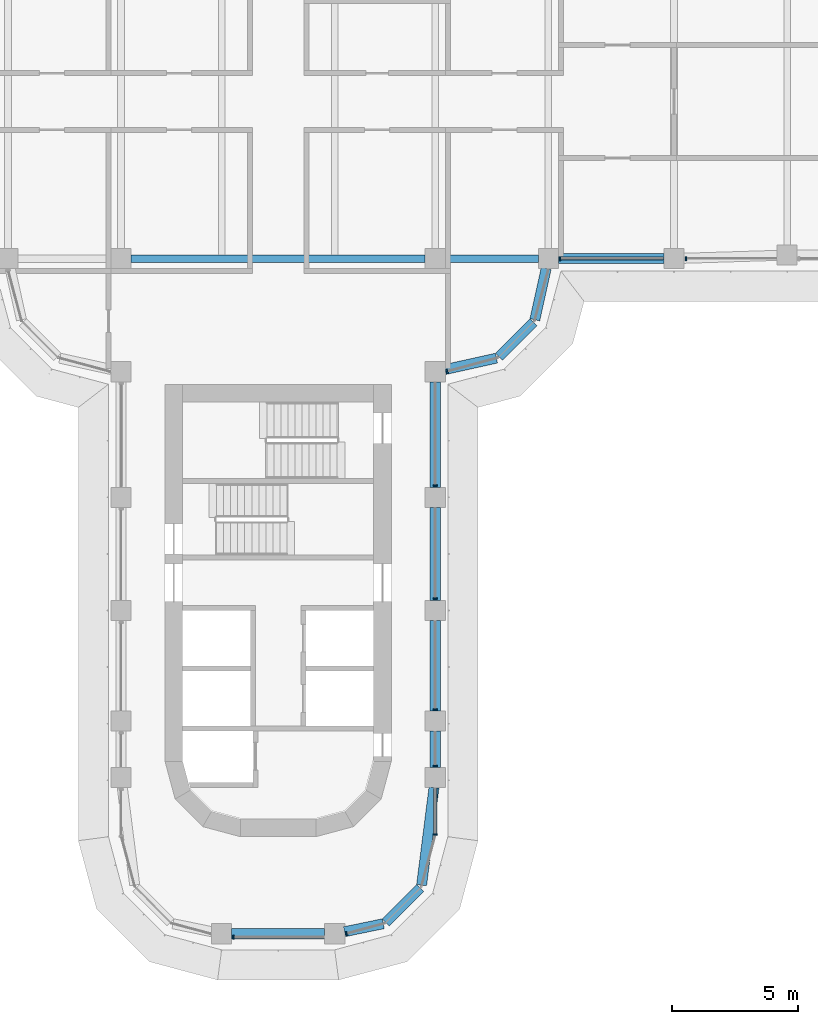
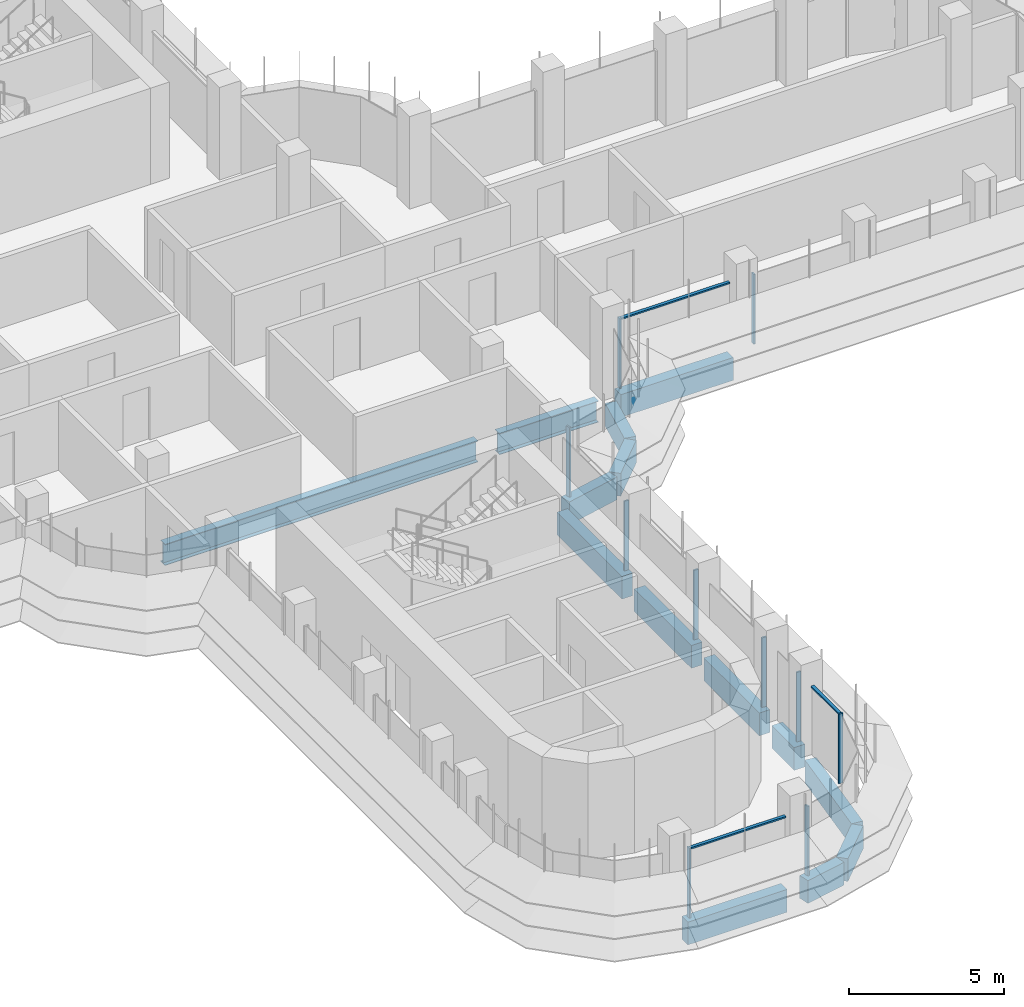
# One storey, part 4 of 20: 14 beams, 13 members, 5 elements without a shape of their own.
"""IFC4 building model written with IfcOpenShell, lengths in metres."""

from ifc_helpers import new_model, si_unit, direction, frame, origin, origin_2d, place, context, subcontext, project, spatial, polyline, rectangle, i_section, outline, extrude, source, transform, mapped, material, material_profile, profile_set, type_object, element, aggregate, save


model = new_model("IFC4")

# Units and contexts
model_context = context("Model", 3, precision=1e-05, world=origin(), true_north=direction((0.0, 1.0)))
body_context = subcontext(model_context, "Body", "Model", "MODEL_VIEW")
ifc_project = project(units=[si_unit("LENGTHUNIT", "METRE"), si_unit("AREAUNIT", "SQUARE_METRE"), si_unit("VOLUMEUNIT", "CUBIC_METRE"), si_unit("PLANEANGLEUNIT", "RADIAN"), si_unit("MASSUNIT", "GRAM", prefix="KILO")], contexts=[model_context])

# Site, building, storey
site_placement = place(None, origin())
site = spatial("IfcSite", under=ifc_project, at=site_placement, CompositionType="ELEMENT")
building_placement = place(site_placement, origin())
building = spatial("IfcBuilding", under=site, at=building_placement, Name="Zarbagh Exchange Tower", CompositionType="ELEMENT")
storey_placement = place(building_placement, frame((0.0, 0.0, 141.0)))
storey = spatial("IfcBuildingStorey", under=building, at=storey_placement, Name="L33", CompositionType="ELEMENT", Elevation=141.0)

# Beams
ifc_material_1 = material(Name="Steel ASTM A992 Gr 50", Category="steel")
ifc_material_profile_1 = material_profile(ifc_material_1, i_section(OverallWidth=0.2919921875, OverallDepth=0.835693359375, WebThickness=0.013916015625, FlangeThickness=0.018798828125, at=origin_2d()), Name="W33X118")
ifc_profile_set_1 = profile_set([ifc_material_profile_1], Name="Steel ASTM A992 Gr 50")
beam_type_1 = type_object("IfcBeamType", Name="Floor girder W33X118", PredefinedType="BEAM", material=ifc_profile_set_1)
beam_1_placement = place(storey_placement, frame((-5.85009765625, -6.25, -0.56787109375), z_axis=(1.0, 0.0, 0.0), x_axis=(0.0, 1.0, 0.0)))
element("IfcBeam", 1, at=beam_1_placement, inside=storey, type_object=beam_type_1, Name="Steel girder", PredefinedType="BEAM", context=body_context, shape_type="SweptSolid", body=[
    extrude(i_section(OverallWidth=0.2919921875, OverallDepth=0.835693359375, WebThickness=0.013916015625, FlangeThickness=0.018798828125, at=origin_2d()), origin(), (0.0, 0.0, 1.0), 11.7001953125),
])
beam_2_placement = place(storey_placement, frame((6.64990234375, -6.25, -0.56787109375), z_axis=(1.0, 0.0, 0.0), x_axis=(0.0, 1.0, 0.0)))
element("IfcBeam", 2, at=beam_2_placement, inside=storey, type_object=beam_type_1, Name="Steel girder", PredefinedType="BEAM", context=body_context, shape_type="SweptSolid", body=[
    extrude(i_section(OverallWidth=0.2919921875, OverallDepth=0.835693359375, WebThickness=0.013916015625, FlangeThickness=0.018798828125, at=origin_2d()), origin(), (0.0, 0.0, 1.0), 3.7001953125),
])
ifc_material_2 = material(Name="Concrete C50/60", Category="concrete")
ifc_material_profile_2 = material_profile(ifc_material_2, rectangle(XDim=0.39990234375, YDim=0.89990234375, at=origin_2d()), Name="RC spandrel beam 400 x 900 C50/60")
ifc_profile_set_2 = profile_set([ifc_material_profile_2], Name="Concrete C50/60")
beam_type_2 = type_object("IfcBeamType", Name="RC spandrel beam 400 x 900 C50/60", PredefinedType="SPANDREL", material=ifc_profile_set_2)
beam_3_placement = place(storey_placement, frame((15.35009765625, -6.25, -0.60009765625), z_axis=(-1.0, 0.0, 0.0), x_axis=(0.0, -1.0, 0.0)))
element("IfcBeam", 3, at=beam_3_placement, inside=storey, type_object=beam_type_2, Name="RC spandrel beam", PredefinedType="SPANDREL", context=body_context, shape_type="SweptSolid", body=[
    extrude(rectangle(XDim=0.39990234375, YDim=0.89990234375, at=origin_2d()), origin(), (0.0, 0.0, 1.0), 4.2001953125),
])
beam_4_placement = place(storey_placement, frame((10.66357421875, -6.640625, -0.60009765625), z_axis=(-0.216041061437, -0.976384278741, 0.0), x_axis=(0.976384278741, -0.216041061437, 0.0)))
element("IfcBeam", 4, at=beam_4_placement, inside=storey, type_object=beam_type_2, Name="RC spandrel beam", PredefinedType="SPANDREL", context=body_context, shape_type="SweptSolid", body=[
    extrude(rectangle(XDim=0.39990234375, YDim=0.89990234375, at=origin_2d()), origin(), (0.0, 0.0, 1.0), 2.0927734375),
])
beam_5_placement = place(storey_placement, frame((10.15771484375, -8.782470703125, -0.60009765625), z_axis=(-0.707106781187, -0.707106781187, 0.0), x_axis=(0.707106781187, -0.707106781187, 0.0)))
element("IfcBeam", 5, at=beam_5_placement, inside=storey, type_object=beam_type_2, Name="RC spandrel beam", PredefinedType="SPANDREL", context=body_context, shape_type="SweptSolid", body=[
    extrude(rectangle(XDim=0.39990234375, YDim=0.89990234375, at=origin_2d()), origin(), (0.0, 0.0, 1.0), 1.94482421875),
])
beam_6_placement = place(storey_placement, frame((8.68408203125, -10.21142578125, -0.60009765625), z_axis=(-0.976384278741, -0.216041061437, 0.0), x_axis=(0.216041061437, -0.976384278741, 0.0)))
element("IfcBeam", 6, at=beam_6_placement, inside=storey, type_object=beam_type_2, Name="RC spandrel beam", PredefinedType="SPANDREL", context=body_context, shape_type="SweptSolid", body=[
    extrude(rectangle(XDim=0.39990234375, YDim=0.89990234375, at=origin_2d()), origin(), (0.0, 0.0, 1.0), 2.0927734375),
])
beam_7_placement = place(storey_placement, frame((6.25, -11.14990234375, -0.60009765625), z_axis=(0.0, -1.0, 0.0), x_axis=(1.0, 0.0, 0.0)))
element("IfcBeam", 7, at=beam_7_placement, inside=storey, type_object=beam_type_2, Name="RC spandrel beam", PredefinedType="SPANDREL", context=body_context, shape_type="SweptSolid", body=[
    extrude(rectangle(XDim=0.39990234375, YDim=0.89990234375, at=origin_2d()), origin(), (0.0, 0.0, 1.0), 4.2001953125),
])
beam_8_placement = place(storey_placement, frame((6.25, -16.14990234375, -0.60009765625), z_axis=(0.0, -1.0, 0.0), x_axis=(1.0, 0.0, 0.0)))
element("IfcBeam", 8, at=beam_8_placement, inside=storey, type_object=beam_type_2, Name="RC spandrel beam", PredefinedType="SPANDREL", context=body_context, shape_type="SweptSolid", body=[
    extrude(rectangle(XDim=0.39990234375, YDim=0.89990234375, at=origin_2d()), origin(), (0.0, 0.0, 1.0), 3.7001953125),
])
beam_9_placement = place(storey_placement, frame((6.25, -20.64990234375, -0.60009765625), z_axis=(0.0, -1.0, 0.0), x_axis=(1.0, 0.0, 0.0)))
element("IfcBeam", 9, at=beam_9_placement, inside=storey, type_object=beam_type_2, Name="RC spandrel beam", PredefinedType="SPANDREL", context=body_context, shape_type="SweptSolid", body=[
    extrude(rectangle(XDim=0.39990234375, YDim=0.89990234375, at=origin_2d()), origin(), (0.0, 0.0, 1.0), 3.60009765625),
])
beam_10_placement = place(storey_placement, frame((6.25, -25.050048828125, -0.60009765625), z_axis=(0.0, -1.0, 0.0), x_axis=(1.0, 0.0, 0.0)))
element("IfcBeam", 10, at=beam_10_placement, inside=storey, type_object=beam_type_2, Name="RC spandrel beam", PredefinedType="SPANDREL", context=body_context, shape_type="SweptSolid", body=[
    extrude(rectangle(XDim=0.39990234375, YDim=0.89990234375, at=origin_2d()), origin(), (0.0, 0.0, 1.0), 1.449951171875),
])
beam_11_placement = place(storey_placement, frame((6.19970703125, -27.296875, -0.60009765625), z_axis=(-0.125956921243, -0.992035712054, 0.0), x_axis=(0.992035712054, -0.125956921243, 0.0)))
element("IfcBeam", 11, at=beam_11_placement, inside=storey, type_object=beam_type_2, Name="RC spandrel beam", PredefinedType="SPANDREL", context=body_context, shape_type="SweptSolid", body=[
    extrude(rectangle(XDim=0.39990234375, YDim=0.89990234375, at=origin_2d()), origin(), (0.0, 0.0, 1.0), 3.907470703125),
])
beam_12_placement = place(storey_placement, frame((5.650390625, -31.28955078125, -0.60009765625), z_axis=(-0.707106781187, -0.707106781187, 0.0), x_axis=(0.707106781187, -0.707106781187, 0.0)))
element("IfcBeam", 12, at=beam_12_placement, inside=storey, type_object=beam_type_2, Name="RC spandrel beam", PredefinedType="SPANDREL", context=body_context, shape_type="SweptSolid", body=[
    extrude(rectangle(XDim=0.39990234375, YDim=0.89990234375, at=origin_2d()), origin(), (0.0, 0.0, 1.0), 1.93310546875),
])
beam_13_placement = place(storey_placement, frame((4.1826171875, -32.7109375, -0.60009765625), z_axis=(-0.979350550491, -0.20216948151, 0.0), x_axis=(0.20216948151, -0.979350550491, 0.0)))
element("IfcBeam", 13, at=beam_13_placement, inside=storey, type_object=beam_type_2, Name="RC spandrel beam", PredefinedType="SPANDREL", context=body_context, shape_type="SweptSolid", body=[
    extrude(rectangle(XDim=0.39990234375, YDim=0.89990234375, at=origin_2d()), origin(), (0.0, 0.0, 1.0), 1.573486328125),
])
beam_14_placement = place(storey_placement, frame((1.85009765625, -33.110107421875, -0.60009765625), z_axis=(-1.0, 0.0, 0.0), x_axis=(0.0, -1.0, 0.0)))
element("IfcBeam", 14, at=beam_14_placement, inside=storey, type_object=beam_type_2, Name="RC spandrel beam", PredefinedType="SPANDREL", context=body_context, shape_type="SweptSolid", body=[
    extrude(rectangle(XDim=0.39990234375, YDim=0.89990234375, at=origin_2d()), origin(), (0.0, 0.0, 1.0), 3.7001953125),
])

# Curtain wall, member
ifc_material_3 = material(Name="Anodised aluminium frame and glazing", Category="aluminium")
curtain_wall_type = type_object("IfcCurtainWallType", Name="CWB Ribbon glazing, upper zones", PredefinedType="NOTDEFINED", material=ifc_material_3)
curtain_wall_1_placement = place(storey_placement, origin())
curtain_wall_1 = element("IfcCurtainWall", 15, at=curtain_wall_1_placement, inside=storey, type_object=curtain_wall_type, Name="CWB01 curtain wall", PredefinedType="NOTDEFINED")
ifc_material_4 = material(Name="Anodised aluminium frame", Category="aluminium")
member_type_1 = type_object("IfcMemberType", Name="MUB Mullion, anodised aluminium frame", PredefinedType="MULLION", material=ifc_material_4)
shared_shape_1 = source(origin(), body_context, "Body", "SweptSolid", [
    extrude(outline(polyline([(0.0, -0.080078125), (0.06005859375, -0.080078125), (0.06005859375, 0.080078125), (0.0, 0.080078125), (0.0, -0.080078125)])), origin(), (0.0, 0.0, 1.0), 2.75),
])
placement = place(storey_placement, origin())
member_1 = element("IfcMember", 16, at=placement, type_object=member_type_1, Name="CWB01 mullion 1.1", PredefinedType="MULLION", context=body_context, shape_type="MappedRepresentation", body=[
    mapped(shared_shape_1, transform((2.68994140625, -33.114501953125, 0.0), x_axis=(0.965924289636, 0.258824779902, 0.0), y_axis=(-0.258824779902, 0.965924289636, 0.0), z_axis=(0.0, 0.0, 1.0))),
])
aggregate(curtain_wall_1, [member_1])

# Curtain wall, members
curtain_wall_2_placement = place(storey_placement, origin())
curtain_wall_2 = element("IfcCurtainWall", 17, at=curtain_wall_2_placement, inside=storey, type_object=curtain_wall_type, Name="CWB04 curtain wall", PredefinedType="NOTDEFINED")
member_2 = element("IfcMember", 18, at=placement, type_object=member_type_1, Name="CWB04 mullion 1.1", PredefinedType="MULLION", context=body_context, shape_type="MappedRepresentation", body=[
    mapped(shared_shape_1, transform((6.25, -29.18408203125, 0.0), x_axis=(0.0, 1.0, 0.0), y_axis=(-1.0, 0.0, 0.0), z_axis=(0.0, 0.0, 1.0))),
])
member_3 = element("IfcMember", 19, at=placement, type_object=member_type_1, Name="CWB04 mullion 2.1", PredefinedType="MULLION", context=body_context, shape_type="MappedRepresentation", body=[
    mapped(shared_shape_1, transform((6.25, -26.4599609375, 0.0), x_axis=(0.0, 1.0, 0.0), y_axis=(-1.0, 0.0, 0.0), z_axis=(0.0, 0.0, 1.0))),
])
member_4 = element("IfcMember", 20, at=placement, type_object=member_type_1, Name="CWB04 mullion 3.1", PredefinedType="MULLION", context=body_context, shape_type="MappedRepresentation", body=[
    mapped(shared_shape_1, transform((6.25, -24.2099609375, 0.0), x_axis=(0.0, 1.0, 0.0), y_axis=(-1.0, 0.0, 0.0), z_axis=(0.0, 0.0, 1.0))),
])
member_5 = element("IfcMember", 21, at=placement, type_object=member_type_1, Name="CWB04 mullion 4.1", PredefinedType="MULLION", context=body_context, shape_type="MappedRepresentation", body=[
    mapped(shared_shape_1, transform((6.25, -19.81005859375, 0.0), x_axis=(0.0, 1.0, 0.0), y_axis=(-1.0, 0.0, 0.0), z_axis=(0.0, 0.0, 1.0))),
])
member_6 = element("IfcMember", 22, at=placement, type_object=member_type_1, Name="CWB04 mullion 5.1", PredefinedType="MULLION", context=body_context, shape_type="MappedRepresentation", body=[
    mapped(shared_shape_1, transform((6.25, -15.31005859375, 0.0), x_axis=(0.0, 1.0, 0.0), y_axis=(-1.0, 0.0, 0.0), z_axis=(0.0, 0.0, 1.0))),
])

# Curtain wall, member
curtain_wall_3_placement = place(storey_placement, origin())
curtain_wall_3 = element("IfcCurtainWall", 23, at=curtain_wall_3_placement, inside=storey, type_object=curtain_wall_type, Name="CWB05 curtain wall", PredefinedType="NOTDEFINED")
member_7 = element("IfcMember", 24, at=placement, type_object=member_type_1, Name="CWB05 mullion 1.1", PredefinedType="MULLION", context=body_context, shape_type="MappedRepresentation", body=[
    mapped(shared_shape_1, transform((6.68994140625, -10.74853515625, 0.0), x_axis=(0.965924289636, 0.258824779902, 0.0), y_axis=(-0.258824779902, 0.965924289636, 0.0), z_axis=(0.0, 0.0, 1.0))),
])
aggregate(curtain_wall_3, [member_7])

# Curtain wall, members
curtain_wall_4_placement = place(storey_placement, origin())
curtain_wall_4 = element("IfcCurtainWall", 25, at=curtain_wall_4_placement, inside=storey, type_object=curtain_wall_type, Name="CWB08 curtain wall", PredefinedType="NOTDEFINED")
member_8 = element("IfcMember", 26, at=placement, type_object=member_type_1, Name="CWB08 mullion 1.1", PredefinedType="MULLION", context=body_context, shape_type="MappedRepresentation", body=[
    mapped(shared_shape_1, transform((11.18994140625, -6.25, 0.0), x_axis=(1.0, 0.0, 0.0), y_axis=(0.0, 1.0, 0.0), z_axis=(0.0, 0.0, 1.0))),
])
member_9 = element("IfcMember", 27, at=placement, type_object=member_type_1, Name="CWB08 mullion 2.1", PredefinedType="MULLION", context=body_context, shape_type="MappedRepresentation", body=[
    mapped(shared_shape_1, transform((16.18994140625, -6.25, 0.0), x_axis=(1.0, 0.0, 0.0), y_axis=(0.0, 1.0, 0.0), z_axis=(0.0, 0.0, 1.0))),
])

# Curtain wall, member
curtain_wall_5_placement = place(storey_placement, origin())
curtain_wall_5 = element("IfcCurtainWall", 28, at=curtain_wall_5_placement, inside=storey, type_object=curtain_wall_type, Name="CWB48 curtain wall", PredefinedType="NOTDEFINED")
member_10 = element("IfcMember", 29, at=placement, type_object=member_type_1, Name="CWB48 mullion 1.1", PredefinedType="MULLION", context=body_context, shape_type="MappedRepresentation", body=[
    mapped(shared_shape_1, transform((-1.81005859375, -33.25, 0.0), x_axis=(1.0, 0.0, 0.0), y_axis=(0.0, 1.0, 0.0), z_axis=(0.0, 0.0, 1.0))),
])

# Member
member_type_2 = type_object("IfcMemberType", Name="TRB Transom, anodised aluminium frame", PredefinedType="USERDEFINED", material=ifc_material_4)
shared_shape_2 = source(origin(), body_context, "Body", "SweptSolid", [
    extrude(outline(polyline([(-0.06005859375, -0.06005859375), (0.0, -0.06005859375), (0.0, 0.06005859375), (-0.06005859375, 0.06005859375), (-0.06005859375, -0.06005859375)])), origin(), (0.0, 0.0, 1.0), 1.7841796875),
])
member_11 = element("IfcMember", 30, at=placement, type_object=member_type_2, Name="CWB04 transom 1.1", ObjectType="TRANSOM", PredefinedType="USERDEFINED", context=body_context, shape_type="MappedRepresentation", body=[
    mapped(shared_shape_2, transform((6.25, -29.124267578125, 2.75), x_axis=(0.0, 0.0, 1.0), y_axis=(1.0, 0.0, 0.0), z_axis=(0.0, 1.0, 0.0))),
])

aggregate(curtain_wall_2, [member_2, member_11, member_3, member_4, member_5, member_6])

shared_shape_3 = source(origin(), body_context, "Body", "SweptSolid", [
    extrude(outline(polyline([(-0.06005859375, -0.06005859375), (0.0, -0.06005859375), (0.0, 0.06005859375), (-0.06005859375, 0.06005859375), (-0.06005859375, -0.06005859375)])), origin(), (0.0, 0.0, 1.0), 4.06005859375),
])
member_12 = element("IfcMember", 31, at=placement, type_object=member_type_2, Name="CWB08 transom 1.1", ObjectType="TRANSOM", PredefinedType="USERDEFINED", context=body_context, shape_type="MappedRepresentation", body=[
    mapped(shared_shape_3, transform((11.25, -6.25, 2.75), x_axis=(0.0, 0.0, 1.0), y_axis=(0.0, -1.0, 0.0), z_axis=(1.0, 0.0, 0.0))),
])

aggregate(curtain_wall_4, [member_8, member_12, member_9])

shared_shape_4 = source(origin(), body_context, "Body", "SweptSolid", [
    extrude(outline(polyline([(-0.06005859375, -0.06005859375), (0.0, -0.06005859375), (0.0, 0.06005859375), (-0.06005859375, 0.06005859375), (-0.06005859375, -0.06005859375)])), origin(), (0.0, 0.0, 1.0), 3.56005859375),
])
member_13 = element("IfcMember", 32, at=placement, type_object=member_type_2, Name="CWB48 transom 1.1", ObjectType="TRANSOM", PredefinedType="USERDEFINED", context=body_context, shape_type="MappedRepresentation", body=[
    mapped(shared_shape_4, transform((-1.75, -33.25, 2.75), x_axis=(0.0, 0.0, 1.0), y_axis=(0.0, -1.0, 0.0), z_axis=(1.0, 0.0, 0.0))),
])

aggregate(curtain_wall_5, [member_10, member_13])

save(model, "model.ifc")
